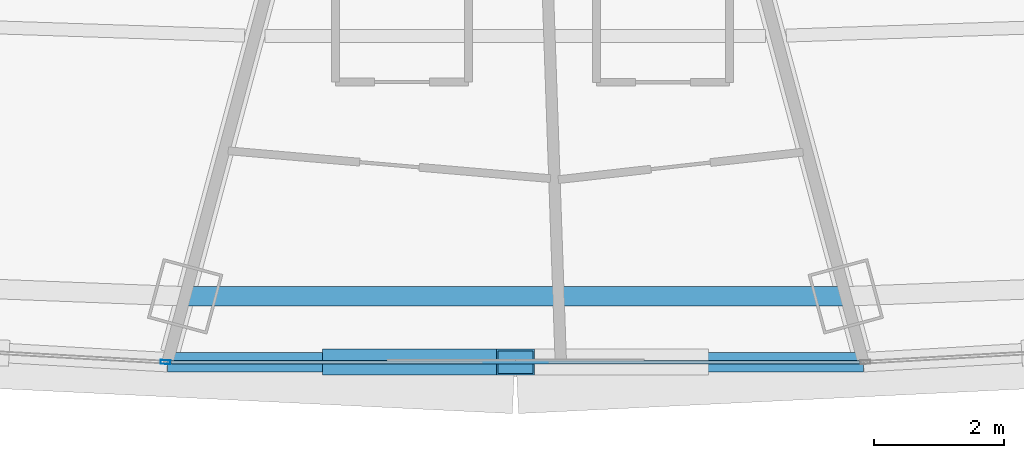
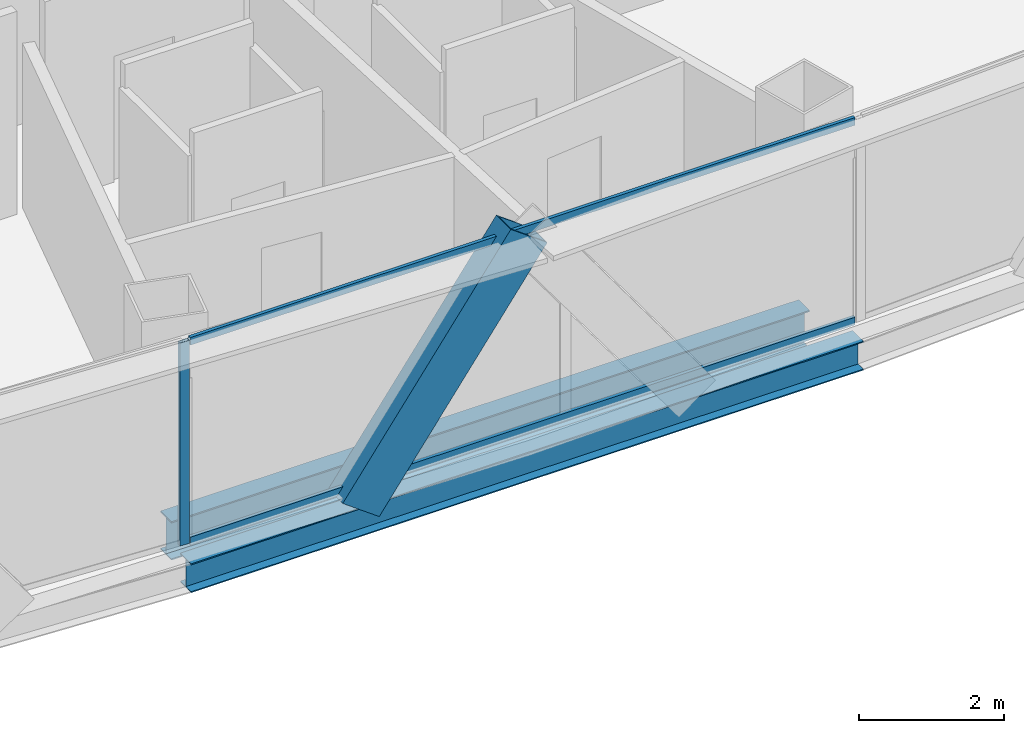
# One storey, part 10 of 39: 4 members, 2 beams, 2 elements without a shape of their own.
"""IFC4 building model written with IfcOpenShell, lengths in metres."""

import ifcopenshell
import ifcopenshell.guid

model = None  # the IFC model being written
_history = None  # IfcOwnerHistory: only IFC2X3 demands one
_inside = {}  # id of a spatial element -> (the spatial element, [elements in it])
_under = {}  # id of a project, library or spatial element -> (it, [spatial elements below it])
_declared = {}  # id of a project -> (the project, [libraries it declares])
_typed = {}  # id of a type object -> (the type object, [elements of that type])
_made_of = {}  # id of a material, layer set ... -> (it, [elements and type objects made of it])


def new_model(schema):
    """Start an empty IFC model of exactly this schema.

    Asked for "IFC4X3", IfcOpenShell would pick the latest addendum, in which some entities
    have other attributes; the version numbers below select the first issue.
    IFC2X3 requires an IfcOwnerHistory on every rooted entity: one is made here for all.
    """
    global model, _history
    if schema == "IFC4X3":
        model = ifcopenshell.file(schema_version=(4, 3, 0, 0))
    else:
        model = ifcopenshell.file(schema=schema)
    _inside.clear()
    _under.clear()
    _declared.clear()
    _typed.clear()
    _made_of.clear()
    _history = None
    if model.schema == "IFC2X3":
        org = make("IfcOrganization", Name="unknown")
        user = make(
            "IfcPersonAndOrganization",
            ThePerson=make("IfcPerson", FamilyName="unknown"),
            TheOrganization=org,
        )
        app = make(
            "IfcApplication",
            ApplicationDeveloper=org,
            Version="unknown",
            ApplicationFullName="unknown",
            ApplicationIdentifier="unknown",
        )
        _history = make(
            "IfcOwnerHistory",
            OwningUser=user,
            OwningApplication=app,
            ChangeAction="ADDED",
            CreationDate=0,
        )
    return model


def make(cls, **values):
    """One entity of the class cls with the attributes given. An attribute that is None is left unset."""
    return model.create_entity(
        cls, **{name: value for name, value in values.items() if value is not None}
    )


def rooted(cls, **values):
    """An entity with a GlobalId (a new one), such as an element, a storey or a relation."""
    return make(cls, GlobalId=ifcopenshell.guid.new(), OwnerHistory=_history, **values)


def si_unit(unit_type, name, prefix=None):
    """IfcSIUnit, for example si_unit("LENGTHUNIT", "METRE", prefix="MILLI")."""
    return make("IfcSIUnit", UnitType=unit_type, Prefix=prefix, Name=name)


def assignment(units):
    """IfcUnitAssignment: the units of a project."""
    return None if units is None else make("IfcUnitAssignment", Units=units)


def point(xyz):
    """IfcCartesianPoint."""
    return None if xyz is None else make("IfcCartesianPoint", Coordinates=xyz)


def direction(xyz):
    """IfcDirection."""
    return None if xyz is None else make("IfcDirection", DirectionRatios=xyz)


def frame(location, z_axis=None, x_axis=None):
    """IfcAxis2Placement3D, a coordinate frame: its origin and axes. An axis left out is left unset."""
    return make(
        "IfcAxis2Placement3D",
        Location=point(location),
        Axis=direction(z_axis),
        RefDirection=direction(x_axis),
    )


def frame_2d(location, x_axis=None):
    """IfcAxis2Placement2D, a coordinate frame in the plane: its origin and x axis."""
    return make(
        "IfcAxis2Placement2D", Location=point(location), RefDirection=direction(x_axis)
    )


def origin():
    """The frame at (0, 0, 0) with its axes left unset."""
    return frame((0.0, 0.0, 0.0))


def origin_2d():
    """The frame at (0, 0) in the plane with its x axis left unset."""
    return frame_2d((0.0, 0.0))


def place(relative_to, where):
    """IfcLocalPlacement: puts the frame where relative to a parent placement (None: the world)."""
    return make(
        "IfcLocalPlacement", PlacementRelTo=relative_to, RelativePlacement=where
    )


def context(
    kind, dimensions, precision=None, world=None, true_north=None, identifier=None
):
    """IfcGeometricRepresentationContext, for example the 3D "Model" context."""
    return make(
        "IfcGeometricRepresentationContext",
        ContextIdentifier=identifier,
        ContextType=kind,
        CoordinateSpaceDimension=dimensions,
        Precision=precision,
        WorldCoordinateSystem=world,
        TrueNorth=true_north,
    )


def subcontext(parent, identifier, kind, view, scale=None):
    """IfcGeometricRepresentationSubContext, for example "Body" below "Model"."""
    return make(
        "IfcGeometricRepresentationSubContext",
        ContextIdentifier=identifier,
        ContextType=kind,
        ParentContext=parent,
        TargetScale=scale,
        TargetView=view,
    )


def project(units=None, contexts=None):
    """IfcProject with its units and contexts."""
    return rooted(
        "IfcProject",
        Name="project",
        RepresentationContexts=contexts,
        UnitsInContext=assignment(units),
    )


def spatial(cls, under=None, at=None, **own):
    """A site, building, storey or space (cls), placed at a placement, below another one or the project."""
    s = rooted(cls, ObjectPlacement=at, **own)
    if under is not None:
        _under.setdefault(under.id(), (under, []))[1].append(s)
    return s


def profile(cls, at=None, kind="AREA", **sizes):
    """A parametric profile (cls). Its sizes go by their IFC names, for example OverallWidth=200.0."""
    return make(cls, ProfileType=kind, Position=at, **sizes)


def hollow_rectangle(**sizes):
    """IfcRectangleHollowProfileDef."""
    return profile("IfcRectangleHollowProfileDef", **sizes)


def i_section(**sizes):
    """IfcIShapeProfileDef."""
    return profile("IfcIShapeProfileDef", **sizes)


def extrude(swept, where, along, depth):
    """IfcExtrudedAreaSolid: the profile swept, set in the frame where, extruded along a direction by depth."""
    return make(
        "IfcExtrudedAreaSolid",
        SweptArea=swept,
        Position=where,
        ExtrudedDirection=direction(along),
        Depth=depth,
    )


def shape(context_of_items, identifier, shape_type, items):
    """IfcShapeRepresentation: the items that make up one representation, for example the "Body"."""
    return make(
        "IfcShapeRepresentation",
        ContextOfItems=context_of_items,
        RepresentationIdentifier=identifier,
        RepresentationType=shape_type,
        Items=items,
    )


def source(mapping_origin, context_of_items, identifier, shape_type, items):
    """IfcRepresentationMap: a shape defined once, which mapped items show again and again."""
    return make(
        "IfcRepresentationMap",
        MappingOrigin=mapping_origin,
        MappedRepresentation=shape(context_of_items, identifier, shape_type, items),
    )


def transform(
    local_origin,
    x_axis=None,
    y_axis=None,
    z_axis=None,
    scale=None,
    scale2=None,
    scale3=None,
    uniform=True,
):
    """IfcCartesianTransformationOperator3D, or its non-uniform kind. x_axis, y_axis, z_axis: its Axis1, 2, 3."""
    if uniform:
        return make(
            "IfcCartesianTransformationOperator3D",
            Axis1=direction(x_axis),
            Axis2=direction(y_axis),
            LocalOrigin=point(local_origin),
            Scale=scale,
            Axis3=direction(z_axis),
        )
    return make(
        "IfcCartesianTransformationOperator3DnonUniform",
        Axis1=direction(x_axis),
        Axis2=direction(y_axis),
        LocalOrigin=point(local_origin),
        Scale=scale,
        Axis3=direction(z_axis),
        Scale2=scale2,
        Scale3=scale3,
    )


def mapped(mapping_source, mapping_target):
    """IfcMappedItem: shows the shape of a source again, moved by a transform."""
    return make(
        "IfcMappedItem", MappingSource=mapping_source, MappingTarget=mapping_target
    )


def material(Name=None, Category=None):
    """IfcMaterial."""
    return make("IfcMaterial", Name=Name, Category=Category)


def layer(
    of_material, thickness, ventilated=None, Name=None, Category=None, Priority=None
):
    """IfcMaterialLayer: one layer of a wall or slab, of a material (None: an air gap)."""
    return make(
        "IfcMaterialLayer",
        Material=of_material,
        LayerThickness=thickness,
        IsVentilated=ventilated,
        Name=Name,
        Category=Category,
        Priority=Priority,
    )


def layer_set(layers, Name=None):
    """IfcMaterialLayerSet."""
    return make("IfcMaterialLayerSet", MaterialLayers=layers, LayerSetName=Name)


def material_profile(
    of_material, cross_section, Name=None, Category=None, Priority=None
):
    """IfcMaterialProfile: a cross section and its material."""
    return make(
        "IfcMaterialProfile",
        Name=Name,
        Material=of_material,
        Profile=cross_section,
        Priority=Priority,
        Category=Category,
    )


def profile_set(profiles, Name=None, composite=None):
    """IfcMaterialProfileSet."""
    return make(
        "IfcMaterialProfileSet",
        Name=Name,
        MaterialProfiles=profiles,
        CompositeProfile=composite,
    )


def made_of(thing, what):
    """Note that an element or type object is made of a material, layer set ...; save() writes the relation."""
    if what is not None:
        _made_of.setdefault(what.id(), (what, []))[1].append(thing)
    return thing


def type_object(cls, material=None, **own):
    """A type object (cls), such as IfcWallType, which elements share."""
    return made_of(rooted(cls, **own), material)


def element(
    cls,
    number,
    at=None,
    inside=None,
    cuts=None,
    type_object=None,
    material=None,
    context=None,
    identifier="Body",
    shape_type=None,
    held_by="IfcProductDefinitionShape",
    body=None,
    shapes=None,
    **own,
):
    """One element of the class cls, such as IfcWall. Its Tag is "e" and its number.

    at: its placement. inside: the storey or other place that contains it. cuts: it is an
    opening in that element (IfcRelVoidsElement). A single representation is given by context,
    identifier, shape_type and body (its items); several are given by shapes. held_by: the class
    of the entity that holds the representations. save() writes the other relations.
    """
    e = rooted(cls, Tag="e%d" % number, ObjectPlacement=at, **own)
    if body is not None:
        shapes = [shape(context, identifier, shape_type, body)]
    if shapes is not None:
        e.Representation = make(held_by, Representations=shapes)
    if inside is not None:
        _inside.setdefault(inside.id(), (inside, []))[1].append(e)
    if cuts is not None:
        rooted(
            "IfcRelVoidsElement", RelatingBuildingElement=cuts, RelatedOpeningElement=e
        )
    if type_object is not None:
        _typed.setdefault(type_object.id(), (type_object, []))[1].append(e)
    return made_of(e, material)


def aggregate(whole, parts):
    """IfcRelAggregates: a whole, such as a stair, and the parts it consists of."""
    return rooted("IfcRelAggregates", RelatingObject=whole, RelatedObjects=parts)


def save(model, path):
    """Write the relations noted so far, then the file.

    IfcRelAggregates (storeys below a building ...), IfcRelContainedInSpatialStructure (elements
    in a storey), IfcRelDefinesByType, IfcRelAssociatesMaterial and IfcRelDeclares: one each for
    every whole, place, type object, material and project.
    """
    for whole, parts in _under.values():
        aggregate(whole, parts)
    for where, things in _inside.values():
        rooted(
            "IfcRelContainedInSpatialStructure",
            RelatedElements=things,
            RelatingStructure=where,
        )
    for kind, things in _typed.values():
        rooted("IfcRelDefinesByType", RelatedObjects=things, RelatingType=kind)
    for what, things in _made_of.values():
        rooted("IfcRelAssociatesMaterial", RelatedObjects=things, RelatingMaterial=what)
    for by, libraries in _declared.values():
        rooted("IfcRelDeclares", RelatingContext=by, RelatedDefinitions=libraries)
    model.write(path)


model = new_model("IFC4")

# Units and contexts
model_context = context("Model", 3, precision=1e-05, world=origin(), true_north=direction((0.0, 1.0)))
body_context = subcontext(model_context, "Body", "Model", "MODEL_VIEW")
ifc_project = project(units=[si_unit("LENGTHUNIT", "METRE"), si_unit("AREAUNIT", "SQUARE_METRE"), si_unit("VOLUMEUNIT", "CUBIC_METRE"), si_unit("PLANEANGLEUNIT", "RADIAN"), si_unit("MASSUNIT", "GRAM", prefix="KILO"), si_unit("THERMODYNAMICTEMPERATUREUNIT", "KELVIN"), si_unit("POWERUNIT", "WATT")], contexts=[model_context])

# Site, building, storey
site_placement = place(None, origin())
site = spatial("IfcSite", under=ifc_project, at=site_placement, CompositionType="ELEMENT")
building_placement = place(site_placement, origin())
building = spatial("IfcBuilding", under=site, at=building_placement, Name="Yunzhuo Pagoda Commons", CompositionType="ELEMENT")
storey_placement = place(building_placement, frame((0.0, 0.0, 162.949951171875)))
storey = spatial("IfcBuildingStorey", under=building, at=storey_placement, Name="L41", CompositionType="ELEMENT", Elevation=162.949951171875)

# Beams
ifc_material_1 = material(Name="Structural steel Q355B", Category="steel")
ifc_material_profile_1 = material_profile(ifc_material_1, i_section(OverallWidth=0.300048828125, OverallDepth=0.64990234375, WebThickness=0.012939453125, FlangeThickness=0.02197265625, at=origin_2d()), Name="Structural steel Q355B")
ifc_profile_set_1 = profile_set([ifc_material_profile_1], Name="Structural steel Q355B")
beam_type_1 = type_object("IfcBeamType", Name="B-RG2 Beam HN 650x300x13x22", PredefinedType="BEAM", material=ifc_profile_set_1)
shared_shape_1 = source(origin(), body_context, "Body", "SweptSolid", [
    extrude(i_section(OverallWidth=0.300048828125, OverallDepth=0.64990234375, WebThickness=0.012939453125, FlangeThickness=0.02197265625, at=origin_2d()), origin(), (0.0, 0.0, 1.0), 10.17041015625),
])
beam_1_placement = place(storey_placement, frame((42.914794921875, 14.7216796875, -0.5849609375), z_axis=(1.0, 0.0, 0.0), x_axis=(0.0, 1.0, 0.0)))
element("IfcBeam", 1, at=beam_1_placement, inside=storey, type_object=beam_type_1, Name="L41 column-ring beam 2", PredefinedType="BEAM", context=body_context, shape_type="MappedRepresentation", body=[
    mapped(shared_shape_1, transform((0.0, 0.0, 0.0), scale=1.0)),
])
ifc_material_profile_2 = material_profile(ifc_material_1, i_section(OverallWidth=0.300048828125, OverallDepth=0.488037109375, WebThickness=0.010986328125, FlangeThickness=0.01806640625, at=origin_2d()), Name="Structural steel Q355B")
ifc_profile_set_2 = profile_set([ifc_material_profile_2], Name="Structural steel Q355B")
beam_type_2 = type_object("IfcBeamType", Name="B-SP1 Beam HM 488x300x11x18", PredefinedType="BEAM", material=ifc_profile_set_2)
shared_shape_2 = source(origin(), body_context, "Body", "SweptSolid", [
    extrude(i_section(OverallWidth=0.300048828125, OverallDepth=0.488037109375, WebThickness=0.010986328125, FlangeThickness=0.01806640625, at=origin_2d()), origin(), (0.0, 0.0, 1.0), 10.71435546875),
])
beam_2_placement = place(storey_placement, frame((42.642822265625, 13.707275390625, -0.50390625), z_axis=(1.0, 0.0, 0.0), x_axis=(0.0, 1.0, 0.0)))
element("IfcBeam", 2, at=beam_2_placement, inside=storey, type_object=beam_type_2, Name="L41 facade edge spandrel beam F1.2", PredefinedType="BEAM", context=body_context, shape_type="MappedRepresentation", body=[
    mapped(shared_shape_2, transform((0.0, 0.0, 0.0), scale=1.0)),
])

# Member
ifc_material_profile_3 = material_profile(ifc_material_1, hollow_rectangle(XDim=0.39990234375, YDim=0.719970703125, WallThickness=0.02392578125, at=origin_2d()), Name="Structural steel Q355B")
ifc_profile_set_3 = profile_set([ifc_material_profile_3], Name="Structural steel Q355B")
member_type_1 = type_object("IfcMemberType", Name="M-DL2 Brace BOX 720x400x24", PredefinedType="BRACE", material=ifc_profile_set_3)
shared_shape_3 = source(origin(), body_context, "Body", "SweptSolid", [
    extrude(hollow_rectangle(XDim=0.39990234375, YDim=0.719970703125, WallThickness=0.02392578125, at=origin_2d()), origin(), (0.0, 0.0, 1.0), 4.5517578125),
])
member_1_placement = place(storey_placement, frame((45.3212890625, 13.707275390625, -0.260009765625), z_axis=(0.588490566736, 0.0, 0.808504083393), x_axis=(0.0, 1.0, 0.0)))
element("IfcMember", 3, at=member_1_placement, inside=storey, type_object=member_type_1, Name="L41 facade diamond brace F1.2L", PredefinedType="BRACE", context=body_context, shape_type="MappedRepresentation", body=[
    mapped(shared_shape_3, transform((0.0, 0.0, 0.0), scale=1.0)),
])

# Curtain wall, member
ifc_material_2 = material(Name="Anodized aluminium 6063-T6", Category="aluminium")
ifc_layer = layer(ifc_material_2, 0.14990234375)
ifc_layer_set = layer_set([ifc_layer], Name="Anodized aluminium 6063-T6")
curtain_wall_type = type_object("IfcCurtainWallType", Name="CW-MID Mid-Zone Ribbon Curtain Wall", PredefinedType="NOTDEFINED", material=ifc_layer_set)
curtain_wall_1_placement = place(storey_placement, origin())
curtain_wall_1 = element("IfcCurtainWall", 4, at=curtain_wall_1_placement, inside=storey, type_object=curtain_wall_type, Name="L41 curtain wall CW-L41-F1B2", PredefinedType="NOTDEFINED")
ifc_material_profile_4 = material_profile(ifc_material_2, hollow_rectangle(XDim=0.06005859375, YDim=0.14990234375, WallThickness=0.00390625, at=origin_2d()), Name="Anodized aluminium 6063-T6")
ifc_profile_set_4 = profile_set([ifc_material_profile_4], Name="Anodized aluminium 6063-T6")
member_type_2 = type_object("IfcMemberType", Name="CW-MID-M Mullion RHS 150x60x4", PredefinedType="MULLION", material=ifc_profile_set_4)
shared_shape_4 = source(origin(), body_context, "Body", "SweptSolid", [
    extrude(hollow_rectangle(XDim=0.06005859375, YDim=0.14990234375, WallThickness=0.00390625, at=origin_2d()), origin(), (0.0, 0.0, 1.0), 3.420166015625),
])
member_2_placement = place(storey_placement, frame((42.613037109375, 13.708984375, 0.0), z_axis=(0.0, 0.0, 1.0), x_axis=(0.056298716731, 0.998413969501, 0.0)))
member_2 = element("IfcMember", 5, at=member_2_placement, type_object=member_type_2, Name="CW mullion 2", PredefinedType="MULLION", context=body_context, shape_type="MappedRepresentation", body=[
    mapped(shared_shape_4, transform((0.0, 0.0, 0.0), scale=1.0)),
])
aggregate(curtain_wall_1, [member_2])

# Curtain wall, members
curtain_wall_2_placement = place(storey_placement, origin())
curtain_wall_2 = element("IfcCurtainWall", 6, at=curtain_wall_2_placement, inside=storey, type_object=curtain_wall_type, Name="L41 curtain wall CW-L41-F1B3", PredefinedType="NOTDEFINED")
ifc_material_profile_5 = material_profile(ifc_material_2, hollow_rectangle(XDim=0.054931640625, YDim=0.1298828125, WallThickness=0.00341796875, at=origin_2d()), Name="Anodized aluminium 6063-T6")
ifc_profile_set_5 = profile_set([ifc_material_profile_5], Name="Anodized aluminium 6063-T6")
member_type_3 = type_object("IfcMemberType", Name="CW-MID-T Transom RHS 130x55x3.5", PredefinedType="USERDEFINED", material=ifc_profile_set_5)
shared_shape_5 = source(origin(), body_context, "Body", "SweptSolid", [
    extrude(hollow_rectangle(XDim=0.054931640625, YDim=0.1298828125, WallThickness=0.00341796875, at=origin_2d()), origin(), (0.0, 0.0, 1.0), 10.59423828125),
])
member_3_placement = place(storey_placement, frame((42.702880859375, 13.707275390625, 0.027587890625), z_axis=(1.0, 0.0, 0.0), x_axis=(0.0, 1.0, 0.0)))
member_3 = element("IfcMember", 7, at=member_3_placement, type_object=member_type_3, Name="CW transom 1.1", ObjectType="TRANSOM", PredefinedType="USERDEFINED", context=body_context, shape_type="MappedRepresentation", body=[
    mapped(shared_shape_5, transform((0.0, 0.0, 0.0), scale=1.0)),
])
member_4_placement = place(storey_placement, frame((42.702880859375, 13.707275390625, 3.392578125), z_axis=(1.0, 0.0, 0.0), x_axis=(0.0, 1.0, 0.0)))
member_4 = element("IfcMember", 8, at=member_4_placement, type_object=member_type_3, Name="CW transom 1.2", ObjectType="TRANSOM", PredefinedType="USERDEFINED", context=body_context, shape_type="MappedRepresentation", body=[
    mapped(shared_shape_5, transform((0.0, 0.0, 0.0), scale=1.0)),
])
aggregate(curtain_wall_2, [member_3, member_4])

save(model, "model.ifc")
